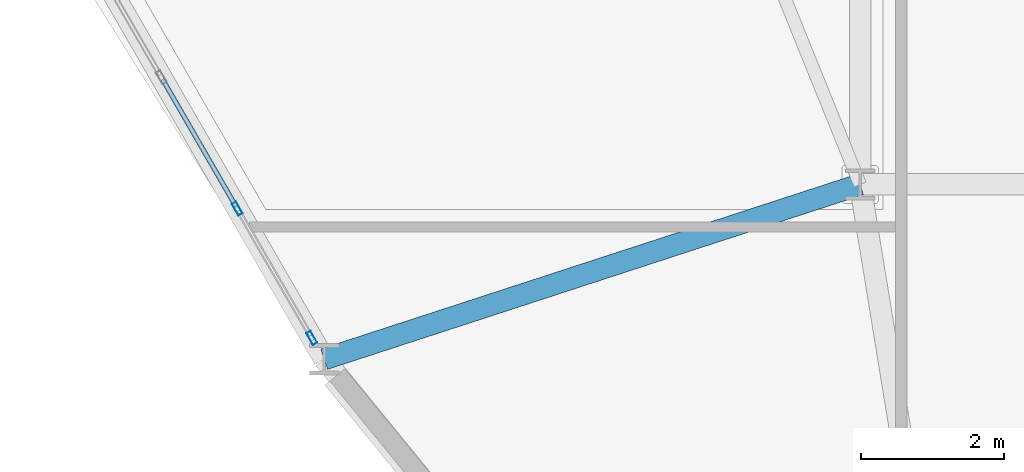
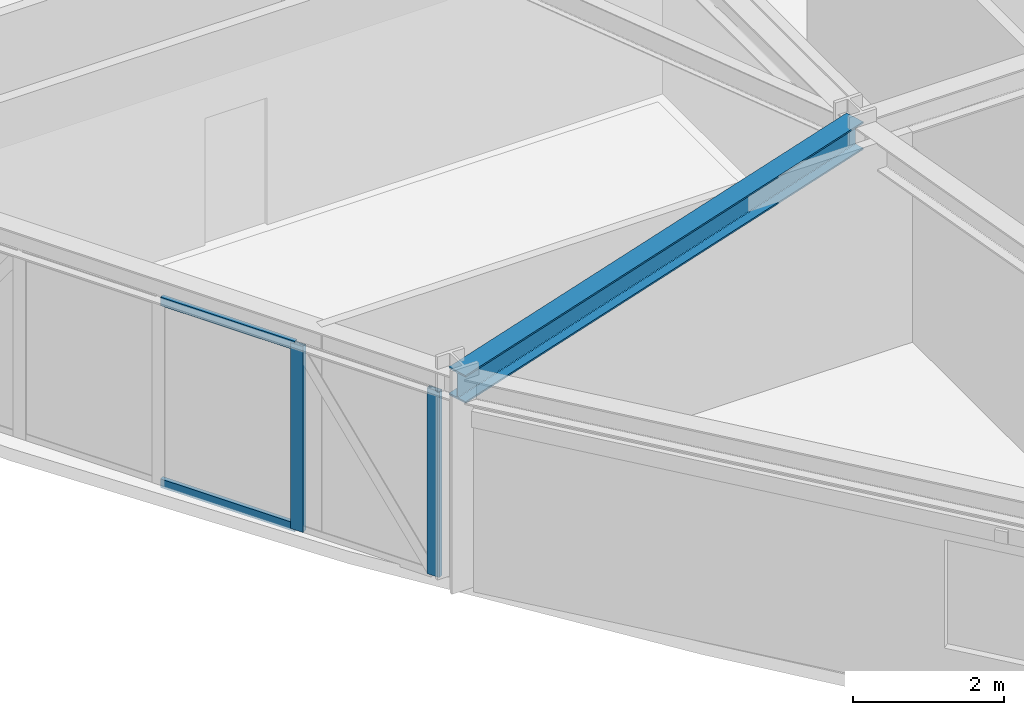
# One storey, part 2 of 18: 4 members, 1 beam, 1 element without a shape of its own.
"""IFC4 building model written with IfcOpenShell, lengths in metres."""

from ifc_helpers import new_model, si_unit, derived_unit, direction, frame, origin, origin_2d, place, context, subcontext, project, spatial, hollow_rectangle, i_section, extrude, source, transform, mapped, material, layer, layer_set, material_profile, profile_set, type_object, element, aggregate, save


model = new_model("IFC4")

# Units and contexts
model_context = context("Model", 3, precision=1e-05, world=origin(), true_north=direction((0.0, 1.0)))
body_context = subcontext(model_context, "Body", "Model", "MODEL_VIEW")
ifc_project = project(units=[si_unit("LENGTHUNIT", "METRE"), si_unit("AREAUNIT", "SQUARE_METRE"), si_unit("VOLUMEUNIT", "CUBIC_METRE"), si_unit("PLANEANGLEUNIT", "RADIAN"), si_unit("MASSUNIT", "GRAM", prefix="KILO"), derived_unit("THERMALTRANSMITTANCEUNIT", [(si_unit("POWERUNIT", "WATT"), 1), (si_unit("LENGTHUNIT", "METRE"), -2), (si_unit("THERMODYNAMICTEMPERATUREUNIT", "KELVIN"), -1)])], contexts=[model_context])

# Site, building, storey
site_placement = place(None, origin())
site = spatial("IfcSite", under=ifc_project, at=site_placement, CompositionType="ELEMENT")
building_placement = place(site_placement, origin())
building = spatial("IfcBuilding", under=site, at=building_placement, Name="Korsvarv Bourse and Concert Hall", CompositionType="ELEMENT")
storey_placement = place(building_placement, frame((0.0, 0.0, 139.800048828125)))
storey = spatial("IfcBuildingStorey", under=building, at=storey_placement, Name="L35", CompositionType="ELEMENT", Elevation=139.800048828125)

# Beam
ifc_material_1 = material(Name="Steel S355", Category="steel")
ifc_material_profile_1 = material_profile(ifc_material_1, i_section(OverallWidth=0.300048828125, OverallDepth=0.449951171875, WebThickness=0.013916015625, FlangeThickness=0.02587890625, FilletRadius=0.02099609375, at=origin_2d()), Name="HEB 450")
ifc_profile_set_1 = profile_set([ifc_material_profile_1], Name="Steel S355")
beam_type = type_object("IfcBeamType", Name="BM-HEB450", PredefinedType="SPANDREL", material=ifc_profile_set_1)
shared_shape_1 = source(origin(), body_context, "Body", "SweptSolid", [
    extrude(i_section(OverallWidth=0.300048828125, OverallDepth=0.449951171875, WebThickness=0.013916015625, FlangeThickness=0.02587890625, FilletRadius=0.02099609375, at=origin_2d()), origin(), (0.0, 0.0, 1.0), 7.8701171875),
])
beam_placement = place(storey_placement, frame((20.11767578125, 21.560546875, 3.175048828125), z_axis=(0.950747329808, 0.309966957695, 0.0), x_axis=(-0.309966957695, 0.950747329808, 0.0)))
element("IfcBeam", 1, at=beam_placement, inside=storey, type_object=beam_type, Name="L35 beam B-08", PredefinedType="SPANDREL", context=body_context, shape_type="MappedRepresentation", body=[
    mapped(shared_shape_1, transform((0.0, 0.0, 0.0), scale=1.0)),
])

# Curtain wall, members
ifc_material_2 = material(Name="Anodised aluminium and triple low-E glazing", Category="glass")
ifc_layer = layer(ifc_material_2, 0.2099609375)
ifc_layer_set = layer_set([ifc_layer], Name="Anodised aluminium and triple low-E glazing")
curtain_wall_type = type_object("IfcCurtainWallType", Name="CW-SYS-2", PredefinedType="NOTDEFINED", material=ifc_layer_set)
curtain_wall_placement = place(storey_placement, origin())
curtain_wall = element("IfcCurtainWall", 2, at=curtain_wall_placement, inside=storey, type_object=curtain_wall_type, Name="L35 CW2 curtain wall CW-L35-F07", PredefinedType="NOTDEFINED")
ifc_material_3 = material(Name="Extruded aluminium EN AW-6063 T66", Category="aluminium")
ifc_material_profile_2 = material_profile(ifc_material_3, hollow_rectangle(XDim=0.070068359375, YDim=0.18994140625, WallThickness=0.0048828125, at=origin_2d()), Name="ALU-M 70x190")
ifc_profile_set_2 = profile_set([ifc_material_profile_2], Name="Extruded aluminium EN AW-6063 T66")
member_type_1 = type_object("IfcMemberType", Name="CWM-190", PredefinedType="MULLION", material=ifc_profile_set_2)
shared_shape_2 = source(origin(), body_context, "Body", "SweptSolid", [
    extrude(hollow_rectangle(XDim=0.070068359375, YDim=0.18994140625, WallThickness=0.0048828125, at=origin_2d()), origin(), (0.0, 0.0, 1.0), 3.0),
])
member_1_placement = place(storey_placement, frame((18.904052734375, 23.66259765625, 0.0), z_axis=(0.0, 0.0, 1.0), x_axis=(0.866025213439, 0.500000329688, 0.0)))
member_1 = element("IfcMember", 3, at=member_1_placement, type_object=member_type_1, Name="CW2 mullion 6", PredefinedType="MULLION", context=body_context, shape_type="MappedRepresentation", body=[
    mapped(shared_shape_2, transform((0.0, 0.0, 0.0), scale=1.0)),
])
member_2_placement = place(storey_placement, frame((19.94580078125, 21.8583984375, 0.0), z_axis=(0.0, 0.0, 1.0), x_axis=(0.866025213439, 0.500000329688, 0.0)))
member_2 = element("IfcMember", 4, at=member_2_placement, type_object=member_type_1, Name="CW2 mullion 7", PredefinedType="MULLION", context=body_context, shape_type="MappedRepresentation", body=[
    mapped(shared_shape_2, transform((0.0, 0.0, 0.0), scale=1.0)),
])
ifc_material_profile_3 = material_profile(ifc_material_3, hollow_rectangle(XDim=0.06494140625, YDim=0.139892578125, WallThickness=0.00390625, at=origin_2d()), Name="ALU-T 65x140")
ifc_profile_set_3 = profile_set([ifc_material_profile_3], Name="Extruded aluminium EN AW-6063 T66")
member_type_2 = type_object("IfcMemberType", Name="CWT-140", PredefinedType="USERDEFINED", material=ifc_profile_set_3)
shared_shape_3 = source(origin(), body_context, "Body", "SweptSolid", [
    extrude(hollow_rectangle(XDim=0.06494140625, YDim=0.139892578125, WallThickness=0.00390625, at=origin_2d()), origin(), (0.0, 0.0, 1.0), 2.04833984375),
])
member_3_placement = place(storey_placement, frame((17.8623046875, 25.466796875, 0.032470703125), z_axis=(0.499997581422, -0.866026800146, 0.0), x_axis=(0.866026800146, 0.499997581422, 0.0)))
member_3 = element("IfcMember", 5, at=member_3_placement, type_object=member_type_2, Name="CW2 transom 5.1", ObjectType="TRANSOM", PredefinedType="USERDEFINED", context=body_context, shape_type="MappedRepresentation", body=[
    mapped(shared_shape_3, transform((0.0, 0.0, 0.0), scale=1.0)),
])
member_4_placement = place(storey_placement, frame((17.8623046875, 25.466796875, 2.967529296875), z_axis=(0.499997581422, -0.866026800146, 0.0), x_axis=(0.866026800146, 0.499997581422, 0.0)))
member_4 = element("IfcMember", 6, at=member_4_placement, type_object=member_type_2, Name="CW2 transom 5.2", ObjectType="TRANSOM", PredefinedType="USERDEFINED", context=body_context, shape_type="MappedRepresentation", body=[
    mapped(shared_shape_3, transform((0.0, 0.0, 0.0), scale=1.0)),
])
aggregate(curtain_wall, [member_1, member_2, member_3, member_4])

save(model, "model.ifc")
